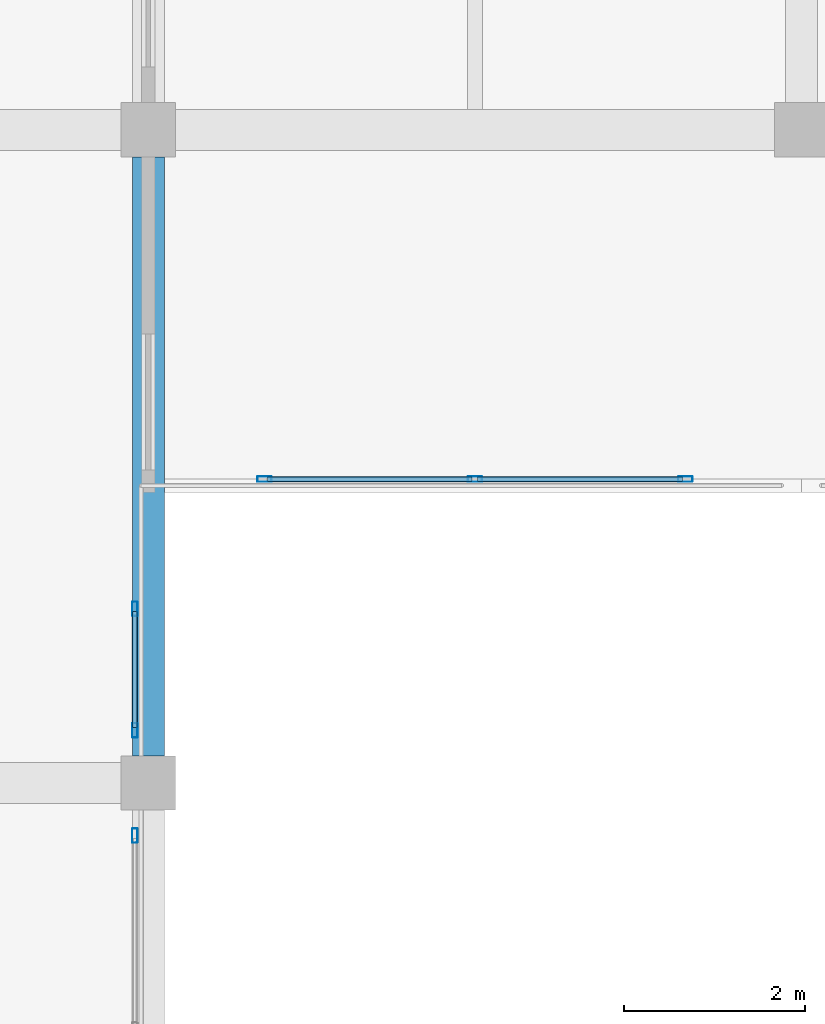
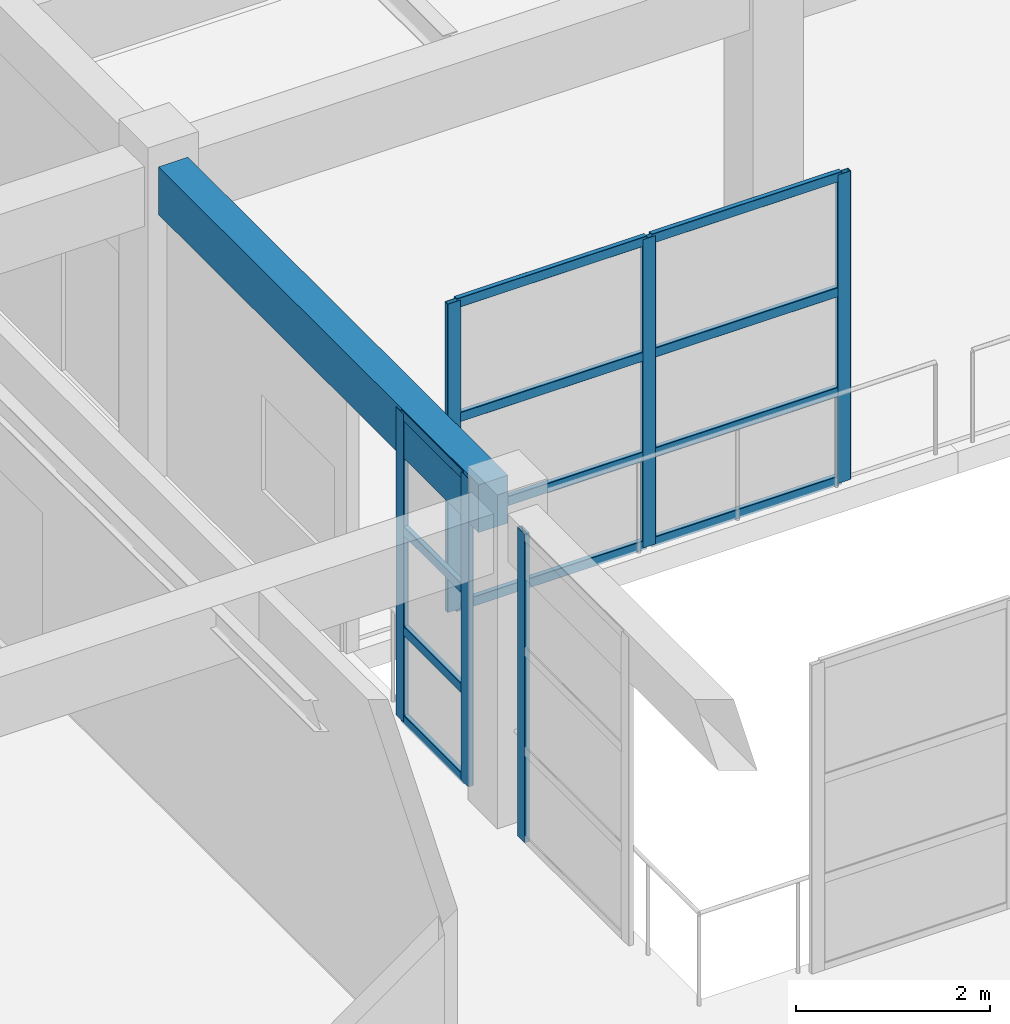
# One storey, part 17 of 49: 18 members, 1 beam, 3 elements without a shape of their own.
"""IFC4 building model written with IfcOpenShell, lengths in metres."""

from ifc_helpers import new_model, si_unit, direction, frame, origin, origin_2d, place, context, subcontext, project, spatial, rectangle, hollow_rectangle, extrude, material, material_profile, profile_set, type_object, element, aggregate, save


model = new_model("IFC4")

# Units and contexts
model_context = context("Model", 3, precision=1e-05, world=origin(), true_north=direction((0.0, 1.0)))
body_context = subcontext(model_context, "Body", "Model", "MODEL_VIEW")
ifc_project = project(units=[si_unit("LENGTHUNIT", "METRE"), si_unit("AREAUNIT", "SQUARE_METRE"), si_unit("VOLUMEUNIT", "CUBIC_METRE"), si_unit("PLANEANGLEUNIT", "RADIAN"), si_unit("MASSUNIT", "GRAM", prefix="KILO")], contexts=[model_context])

# Site, building, storey
site_placement = place(None, origin())
site = spatial("IfcSite", under=ifc_project, at=site_placement, CompositionType="ELEMENT")
building_placement = place(site_placement, origin())
building = spatial("IfcBuilding", under=site, at=building_placement, Name="Bramveld Media Centre", CompositionType="ELEMENT")
storey_placement = place(building_placement, frame((0.0, 0.0, 9.60009765625)))
storey = spatial("IfcBuildingStorey", under=building, at=storey_placement, Name="L02", CompositionType="ELEMENT", Elevation=9.60009765625)

# Beam
ifc_material_1 = material(Name="Concrete C40/50", Category="concrete")
ifc_material_profile_1 = material_profile(ifc_material_1, rectangle(XDim=0.35009765625, YDim=0.60009765625, at=origin_2d()), Name="RC 350x600")
ifc_profile_set_1 = profile_set([ifc_material_profile_1], Name="Concrete C40/50")
beam_type = type_object("IfcBeamType", Name="BM-INT-RC-350x600", PredefinedType="BEAM", material=ifc_profile_set_1)
beam_placement = place(storey_placement, frame((80.0, 105.10009765625, 3.619873046875), z_axis=(0.0, 1.0, 0.0), x_axis=(-1.0, 0.0, 0.0)))
element("IfcBeam", 1, at=beam_placement, inside=storey, type_object=beam_type, Name="V6 L02 girder Y-1100", PredefinedType="BEAM", context=body_context, shape_type="SweptSolid", body=[
    extrude(rectangle(XDim=0.35009765625, YDim=0.60009765625, at=origin_2d()), origin(), (0.0, 0.0, 1.0), 6.599853515625),
])

# Curtain wall, members
ifc_material_2 = material(Name="Thermally broken anodized bronze aluminium unitized curtain wall with solar-control triple glazing", Category="aluminium")
curtain_wall_type_1 = type_object("IfcCurtainWallType", Name="CW-ATR-4700x3880", PredefinedType="NOTDEFINED", material=ifc_material_2)
curtain_wall_1_placement = place(storey_placement, origin())
curtain_wall_1 = element("IfcCurtainWall", 2, at=curtain_wall_1_placement, inside=storey, type_object=curtain_wall_type_1, Name="V6 L02 atrium acoustic screen N1-1", PredefinedType="NOTDEFINED")
ifc_material_3 = material(Name="Thermally broken anodized bronze aluminium EN AW-6063 T6 curtain-wall framing", Category="aluminium")
ifc_material_profile_2 = material_profile(ifc_material_3, hollow_rectangle(XDim=0.06005859375, YDim=0.159912109375, WallThickness=0.00390625, InnerFilletRadius=0.00390625, OuterFilletRadius=0.008056640625, at=origin_2d()), Name="AL-MULL 60x160")
ifc_profile_set_2 = profile_set([ifc_material_profile_2], Name="Thermally broken anodized bronze aluminium EN AW-6063 T6 curtain-wall framing")
member_type_1 = type_object("IfcMemberType", Name="CW-MULL-INT", PredefinedType="MULLION", material=ifc_profile_set_2)
member_1_placement = place(storey_placement, frame((81.280029296875, 108.14990234375, 0.0), z_axis=(0.0, 0.0, 1.0), x_axis=(0.0, 1.0, 0.0)))
member_1 = element("IfcMember", 3, at=member_1_placement, type_object=member_type_1, Name="CW-AT-4738 mullion 1", PredefinedType="MULLION", context=body_context, shape_type="SweptSolid", body=[
    extrude(hollow_rectangle(XDim=0.06005859375, YDim=0.159912109375, WallThickness=0.00390625, InnerFilletRadius=0.00390625, OuterFilletRadius=0.008056640625, at=origin_2d()), origin(), (0.0, 0.0, 1.0), 3.8798828125),
])
member_2_placement = place(storey_placement, frame((83.60009765625, 108.14990234375, 0.0), z_axis=(0.0, 0.0, 1.0), x_axis=(0.0, 1.0, 0.0)))
member_2 = element("IfcMember", 4, at=member_2_placement, type_object=member_type_1, Name="CW-AT-4738 mullion 2", PredefinedType="MULLION", context=body_context, shape_type="SweptSolid", body=[
    extrude(hollow_rectangle(XDim=0.06005859375, YDim=0.159912109375, WallThickness=0.00390625, InnerFilletRadius=0.00390625, OuterFilletRadius=0.008056640625, at=origin_2d()), origin(), (0.0, 0.0, 1.0), 3.8798828125),
])
member_3_placement = place(storey_placement, frame((85.919921875, 108.14990234375, 0.0), z_axis=(0.0, 0.0, 1.0), x_axis=(0.0, 1.0, 0.0)))
member_3 = element("IfcMember", 5, at=member_3_placement, type_object=member_type_1, Name="CW-AT-4738 mullion 3", PredefinedType="MULLION", context=body_context, shape_type="SweptSolid", body=[
    extrude(hollow_rectangle(XDim=0.06005859375, YDim=0.159912109375, WallThickness=0.00390625, InnerFilletRadius=0.00390625, OuterFilletRadius=0.008056640625, at=origin_2d()), origin(), (0.0, 0.0, 1.0), 3.8798828125),
])

# Curtain wall, member
ifc_material_4 = material(Name="Thermally broken anodized bronze aluminium unitized curtain wall with solar-control triple glazing", Category="aluminium")
curtain_wall_type_2 = type_object("IfcCurtainWallType", Name="CW-ATR-2200x3880", PredefinedType="NOTDEFINED", material=ifc_material_4)
curtain_wall_2_placement = place(storey_placement, origin())
curtain_wall_2 = element("IfcCurtainWall", 6, at=curtain_wall_2_placement, inside=storey, type_object=curtain_wall_type_2, Name="V6 L02 atrium acoustic screen W-1", PredefinedType="NOTDEFINED")
member_4_placement = place(storey_placement, frame((79.85009765625, 104.219970703125, 0.0), z_axis=(0.0, 0.0, 1.0), x_axis=(-1.0, 0.0, 0.0)))
member_4 = element("IfcMember", 7, at=member_4_placement, type_object=member_type_1, Name="CW-AT-2238 mullion 2", PredefinedType="MULLION", context=body_context, shape_type="SweptSolid", body=[
    extrude(hollow_rectangle(XDim=0.06005859375, YDim=0.159912109375, WallThickness=0.00390625, InnerFilletRadius=0.00390625, OuterFilletRadius=0.008056640625, at=origin_2d()), origin(), (0.0, 0.0, 1.0), 3.8798828125),
])
aggregate(curtain_wall_2, [member_4])

# Curtain wall, members
ifc_material_5 = material(Name="Thermally broken anodized bronze aluminium unitized curtain wall with solar-control triple glazing", Category="aluminium")
curtain_wall_type_3 = type_object("IfcCurtainWallType", Name="CW-ATR-1400x3880", PredefinedType="NOTDEFINED", material=ifc_material_5)
curtain_wall_3_placement = place(storey_placement, origin())
curtain_wall_3 = element("IfcCurtainWall", 8, at=curtain_wall_3_placement, inside=storey, type_object=curtain_wall_type_3, Name="V6 L02 atrium acoustic screen W-2", PredefinedType="NOTDEFINED")
member_5_placement = place(storey_placement, frame((79.85009765625, 105.3798828125, 0.0), z_axis=(0.0, 0.0, 1.0), x_axis=(-1.0, 0.0, 0.0)))
member_5 = element("IfcMember", 9, at=member_5_placement, type_object=member_type_1, Name="CW-AT-1438 mullion 1", PredefinedType="MULLION", context=body_context, shape_type="SweptSolid", body=[
    extrude(hollow_rectangle(XDim=0.06005859375, YDim=0.159912109375, WallThickness=0.00390625, InnerFilletRadius=0.00390625, OuterFilletRadius=0.008056640625, at=origin_2d()), origin(), (0.0, 0.0, 1.0), 3.8798828125),
])
member_6_placement = place(storey_placement, frame((79.85009765625, 106.719970703125, 0.0), z_axis=(0.0, 0.0, 1.0), x_axis=(-1.0, 0.0, 0.0)))
member_6 = element("IfcMember", 10, at=member_6_placement, type_object=member_type_1, Name="CW-AT-1438 mullion 2", PredefinedType="MULLION", context=body_context, shape_type="SweptSolid", body=[
    extrude(hollow_rectangle(XDim=0.06005859375, YDim=0.159912109375, WallThickness=0.00390625, InnerFilletRadius=0.00390625, OuterFilletRadius=0.008056640625, at=origin_2d()), origin(), (0.0, 0.0, 1.0), 3.8798828125),
])

# Member
ifc_material_6 = material(Name="Thermally broken anodized bronze aluminium EN AW-6063 T6 curtain-wall framing", Category="aluminium")
ifc_material_profile_3 = material_profile(ifc_material_6, hollow_rectangle(XDim=0.06005859375, YDim=0.1201171875, WallThickness=0.00341796875, InnerFilletRadius=0.00341796875, OuterFilletRadius=0.007080078125, at=origin_2d()), Name="AL-TRAN 60x120")
ifc_profile_set_3 = profile_set([ifc_material_profile_3], Name="Thermally broken anodized bronze aluminium EN AW-6063 T6 curtain-wall framing")
member_type_2 = type_object("IfcMemberType", Name="CW-TRAN-INT", PredefinedType="USERDEFINED", material=ifc_profile_set_3)
member_7_placement = place(storey_placement, frame((81.31005859375, 108.14990234375, 0.02978515625), z_axis=(1.0, 0.0, 0.0), x_axis=(0.0, 1.0, 0.0)))
member_7 = element("IfcMember", 11, at=member_7_placement, type_object=member_type_2, Name="CW-AT-4738 transom 1.1", ObjectType="TRANSOM", PredefinedType="USERDEFINED", context=body_context, shape_type="SweptSolid", body=[
    extrude(hollow_rectangle(XDim=0.06005859375, YDim=0.1201171875, WallThickness=0.00341796875, InnerFilletRadius=0.00341796875, OuterFilletRadius=0.007080078125, at=origin_2d()), origin(), (0.0, 0.0, 1.0), 2.260009765625),
])

member_8_placement = place(storey_placement, frame((81.31005859375, 108.14990234375, 1.14990234375), z_axis=(1.0, 0.0, 0.0), x_axis=(0.0, 1.0, 0.0)))
member_8 = element("IfcMember", 12, at=member_8_placement, type_object=member_type_2, Name="CW-AT-4738 transom 1.2", ObjectType="TRANSOM", PredefinedType="USERDEFINED", context=body_context, shape_type="SweptSolid", body=[
    extrude(hollow_rectangle(XDim=0.06005859375, YDim=0.1201171875, WallThickness=0.00341796875, InnerFilletRadius=0.00341796875, OuterFilletRadius=0.007080078125, at=origin_2d()), origin(), (0.0, 0.0, 1.0), 2.260009765625),
])

member_9_placement = place(storey_placement, frame((81.31005859375, 108.14990234375, 2.406005859375), z_axis=(1.0, 0.0, 0.0), x_axis=(0.0, 1.0, 0.0)))
member_9 = element("IfcMember", 13, at=member_9_placement, type_object=member_type_2, Name="CW-AT-4738 transom 1.3", ObjectType="TRANSOM", PredefinedType="USERDEFINED", context=body_context, shape_type="SweptSolid", body=[
    extrude(hollow_rectangle(XDim=0.06005859375, YDim=0.1201171875, WallThickness=0.00341796875, InnerFilletRadius=0.00341796875, OuterFilletRadius=0.007080078125, at=origin_2d()), origin(), (0.0, 0.0, 1.0), 2.260009765625),
])

member_10_placement = place(storey_placement, frame((81.31005859375, 108.14990234375, 3.849853515625), z_axis=(1.0, 0.0, 0.0), x_axis=(0.0, 1.0, 0.0)))
member_10 = element("IfcMember", 14, at=member_10_placement, type_object=member_type_2, Name="CW-AT-4738 transom 1.4", ObjectType="TRANSOM", PredefinedType="USERDEFINED", context=body_context, shape_type="SweptSolid", body=[
    extrude(hollow_rectangle(XDim=0.06005859375, YDim=0.1201171875, WallThickness=0.00341796875, InnerFilletRadius=0.00341796875, OuterFilletRadius=0.007080078125, at=origin_2d()), origin(), (0.0, 0.0, 1.0), 2.260009765625),
])

member_11_placement = place(storey_placement, frame((83.6298828125, 108.14990234375, 0.02978515625), z_axis=(1.0, 0.0, 0.0), x_axis=(0.0, 1.0, 0.0)))
member_11 = element("IfcMember", 15, at=member_11_placement, type_object=member_type_2, Name="CW-AT-4738 transom 2.1", ObjectType="TRANSOM", PredefinedType="USERDEFINED", context=body_context, shape_type="SweptSolid", body=[
    extrude(hollow_rectangle(XDim=0.06005859375, YDim=0.1201171875, WallThickness=0.00341796875, InnerFilletRadius=0.00341796875, OuterFilletRadius=0.007080078125, at=origin_2d()), origin(), (0.0, 0.0, 1.0), 2.260009765625),
])

member_12_placement = place(storey_placement, frame((83.6298828125, 108.14990234375, 1.14990234375), z_axis=(1.0, 0.0, 0.0), x_axis=(0.0, 1.0, 0.0)))
member_12 = element("IfcMember", 16, at=member_12_placement, type_object=member_type_2, Name="CW-AT-4738 transom 2.2", ObjectType="TRANSOM", PredefinedType="USERDEFINED", context=body_context, shape_type="SweptSolid", body=[
    extrude(hollow_rectangle(XDim=0.06005859375, YDim=0.1201171875, WallThickness=0.00341796875, InnerFilletRadius=0.00341796875, OuterFilletRadius=0.007080078125, at=origin_2d()), origin(), (0.0, 0.0, 1.0), 2.260009765625),
])

member_13_placement = place(storey_placement, frame((83.6298828125, 108.14990234375, 2.406005859375), z_axis=(1.0, 0.0, 0.0), x_axis=(0.0, 1.0, 0.0)))
member_13 = element("IfcMember", 17, at=member_13_placement, type_object=member_type_2, Name="CW-AT-4738 transom 2.3", ObjectType="TRANSOM", PredefinedType="USERDEFINED", context=body_context, shape_type="SweptSolid", body=[
    extrude(hollow_rectangle(XDim=0.06005859375, YDim=0.1201171875, WallThickness=0.00341796875, InnerFilletRadius=0.00341796875, OuterFilletRadius=0.007080078125, at=origin_2d()), origin(), (0.0, 0.0, 1.0), 2.260009765625),
])

member_14_placement = place(storey_placement, frame((83.6298828125, 108.14990234375, 3.849853515625), z_axis=(1.0, 0.0, 0.0), x_axis=(0.0, 1.0, 0.0)))
member_14 = element("IfcMember", 18, at=member_14_placement, type_object=member_type_2, Name="CW-AT-4738 transom 2.4", ObjectType="TRANSOM", PredefinedType="USERDEFINED", context=body_context, shape_type="SweptSolid", body=[
    extrude(hollow_rectangle(XDim=0.06005859375, YDim=0.1201171875, WallThickness=0.00341796875, InnerFilletRadius=0.00341796875, OuterFilletRadius=0.007080078125, at=origin_2d()), origin(), (0.0, 0.0, 1.0), 2.260009765625),
])

aggregate(curtain_wall_1, [member_1, member_2, member_3, member_7, member_8, member_9, member_10, member_11, member_12, member_13, member_14])

member_15_placement = place(storey_placement, frame((79.85009765625, 105.409912109375, 0.02978515625), z_axis=(0.0, 1.0, 0.0), x_axis=(-1.0, 0.0, 0.0)))
member_15 = element("IfcMember", 19, at=member_15_placement, type_object=member_type_2, Name="CW-AT-1438 transom 1.1", ObjectType="TRANSOM", PredefinedType="USERDEFINED", context=body_context, shape_type="SweptSolid", body=[
    extrude(hollow_rectangle(XDim=0.06005859375, YDim=0.1201171875, WallThickness=0.00341796875, InnerFilletRadius=0.00341796875, OuterFilletRadius=0.007080078125, at=origin_2d()), origin(), (0.0, 0.0, 1.0), 1.280029296875),
])

member_16_placement = place(storey_placement, frame((79.85009765625, 105.409912109375, 1.14990234375), z_axis=(0.0, 1.0, 0.0), x_axis=(-1.0, 0.0, 0.0)))
member_16 = element("IfcMember", 20, at=member_16_placement, type_object=member_type_2, Name="CW-AT-1438 transom 1.2", ObjectType="TRANSOM", PredefinedType="USERDEFINED", context=body_context, shape_type="SweptSolid", body=[
    extrude(hollow_rectangle(XDim=0.06005859375, YDim=0.1201171875, WallThickness=0.00341796875, InnerFilletRadius=0.00341796875, OuterFilletRadius=0.007080078125, at=origin_2d()), origin(), (0.0, 0.0, 1.0), 1.280029296875),
])

member_17_placement = place(storey_placement, frame((79.85009765625, 105.409912109375, 2.406005859375), z_axis=(0.0, 1.0, 0.0), x_axis=(-1.0, 0.0, 0.0)))
member_17 = element("IfcMember", 21, at=member_17_placement, type_object=member_type_2, Name="CW-AT-1438 transom 1.3", ObjectType="TRANSOM", PredefinedType="USERDEFINED", context=body_context, shape_type="SweptSolid", body=[
    extrude(hollow_rectangle(XDim=0.06005859375, YDim=0.1201171875, WallThickness=0.00341796875, InnerFilletRadius=0.00341796875, OuterFilletRadius=0.007080078125, at=origin_2d()), origin(), (0.0, 0.0, 1.0), 1.280029296875),
])

member_18_placement = place(storey_placement, frame((79.85009765625, 105.409912109375, 3.849853515625), z_axis=(0.0, 1.0, 0.0), x_axis=(-1.0, 0.0, 0.0)))
member_18 = element("IfcMember", 22, at=member_18_placement, type_object=member_type_2, Name="CW-AT-1438 transom 1.4", ObjectType="TRANSOM", PredefinedType="USERDEFINED", context=body_context, shape_type="SweptSolid", body=[
    extrude(hollow_rectangle(XDim=0.06005859375, YDim=0.1201171875, WallThickness=0.00341796875, InnerFilletRadius=0.00341796875, OuterFilletRadius=0.007080078125, at=origin_2d()), origin(), (0.0, 0.0, 1.0), 1.280029296875),
])

aggregate(curtain_wall_3, [member_5, member_6, member_15, member_16, member_17, member_18])

save(model, "model.ifc")
